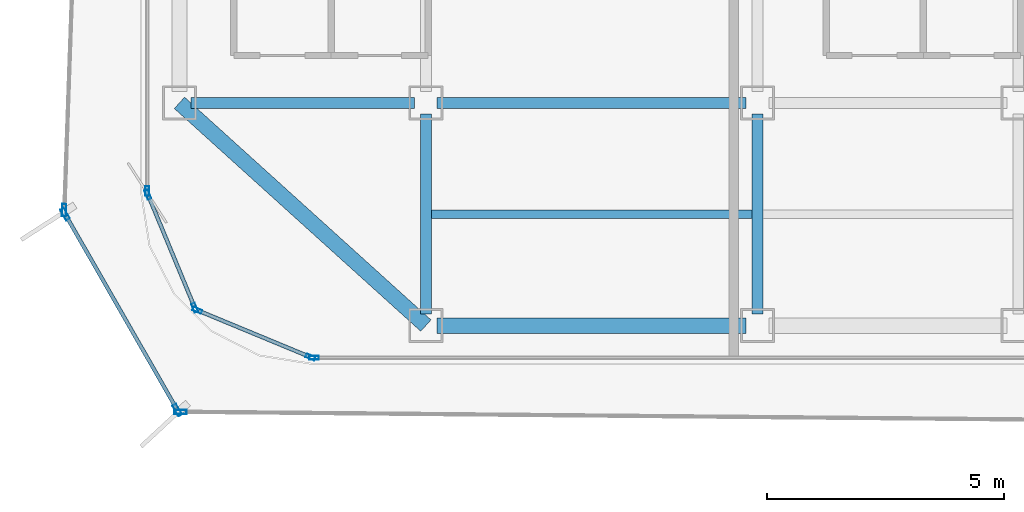
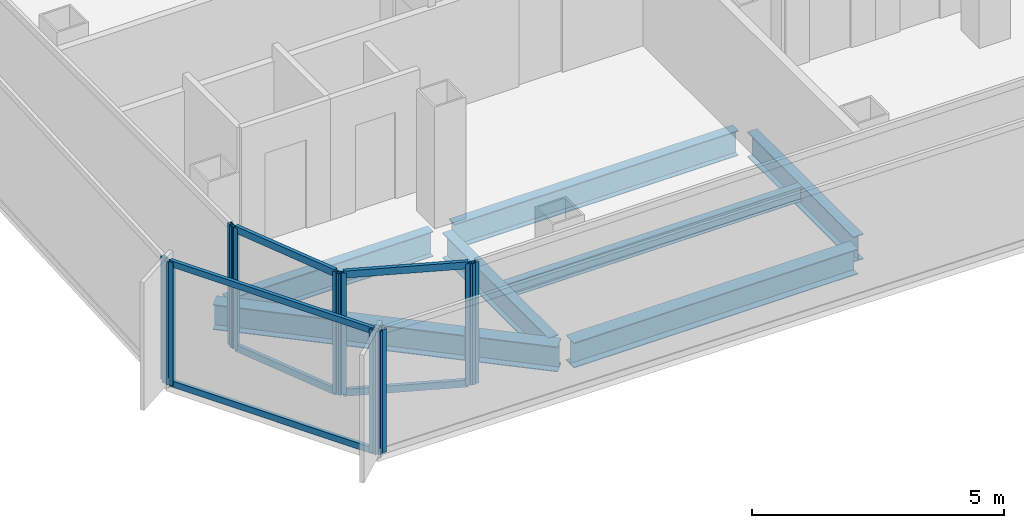
# One storey, part 2 of 16: 16 members, 7 beams, 7 elements without a shape of their own.
"""IFC4 building model written with IfcOpenShell, lengths in metres."""

from ifc_helpers import new_model, si_unit, direction, frame, origin, origin_2d, place, context, subcontext, project, spatial, hollow_rectangle, i_section, extrude, source, transform, mapped, material, layer, layer_set, material_profile, profile_set, type_object, element, aggregate, save


model = new_model("IFC4")

# Units and contexts
model_context = context("Model", 3, precision=1e-05, world=origin(), true_north=direction((0.0, 1.0)))
body_context = subcontext(model_context, "Body", "Model", "MODEL_VIEW")
ifc_project = project(units=[si_unit("LENGTHUNIT", "METRE"), si_unit("AREAUNIT", "SQUARE_METRE"), si_unit("VOLUMEUNIT", "CUBIC_METRE"), si_unit("PLANEANGLEUNIT", "RADIAN"), si_unit("MASSUNIT", "GRAM", prefix="KILO")], contexts=[model_context])

# Site, building, storey
site_placement = place(None, origin())
site = spatial("IfcSite", under=ifc_project, at=site_placement, CompositionType="ELEMENT")
building_placement = place(site_placement, origin())
building = spatial("IfcBuilding", under=site, at=building_placement, Name="Kolveth Station Tower", CompositionType="ELEMENT")
storey_placement = place(building_placement, frame((0.0, 0.0, 162.5)))
storey = spatial("IfcBuildingStorey", under=building, at=storey_placement, Name="L45", CompositionType="ELEMENT", Elevation=162.5)

# Beams
ifc_material_1 = material(Name="Steel S355", Category="steel")
ifc_material_profile_1 = material_profile(ifc_material_1, i_section(OverallWidth=0.323974609375, OverallDepth=0.611083984375, WebThickness=0.0126953125, FlangeThickness=0.01904296875, at=origin_2d()), Name="W610x155")
ifc_profile_set_1 = profile_set([ifc_material_profile_1], Name="Steel S355")
beam_type_1 = type_object("IfcBeamType", Name="Beam_SP2", PredefinedType="SPANDREL", material=ifc_profile_set_1)
shared_shape_1 = source(origin(), body_context, "Body", "SweptSolid", [
    extrude(i_section(OverallWidth=0.323974609375, OverallDepth=0.611083984375, WebThickness=0.0126953125, FlangeThickness=0.01904296875, at=origin_2d()), origin(), (0.0, 0.0, 1.0), 7.00927734375),
])
beam_1_placement = place(storey_placement, frame((0.800048828125, 5.5, -0.555419921875), z_axis=(0.741874009795, -0.670539300557, 0.0), x_axis=(0.670539300557, 0.741874009795, 0.0)))
element("IfcBeam", 1, at=beam_1_placement, inside=storey, type_object=beam_type_1, Name="L45 Corner Edge Girder BM-L45-CNR-SW", PredefinedType="SPANDREL", context=body_context, shape_type="MappedRepresentation", body=[
    mapped(shared_shape_1, transform((0.0, 0.0, 0.0), x_axis=(1.0, 0.0, 0.0), y_axis=(0.0, 1.0, 0.0), z_axis=(0.0, 0.0, 1.0), scale=1.0)),
])
shared_shape_2 = source(origin(), body_context, "Body", "SweptSolid", [
    extrude(i_section(OverallWidth=0.323974609375, OverallDepth=0.611083984375, WebThickness=0.0126953125, FlangeThickness=0.01904296875, at=origin_2d()), origin(), (0.0, 0.0, 1.0), 6.52001953125),
])
beam_2_placement = place(storey_placement, frame((6.239990234375, 0.800048828125, -0.555419921875), z_axis=(1.0, 0.0, 0.0), x_axis=(0.0, 1.0, 0.0)))
element("IfcBeam", 2, at=beam_2_placement, inside=storey, type_object=beam_type_1, Name="L45 Perimeter Spandrel BM-L45-PS-1", PredefinedType="SPANDREL", context=body_context, shape_type="MappedRepresentation", body=[
    mapped(shared_shape_2, transform((0.0, 0.0, 0.0), x_axis=(1.0, 0.0, 0.0), y_axis=(0.0, 1.0, 0.0), z_axis=(0.0, 0.0, 1.0), scale=1.0)),
])
ifc_material_profile_2 = material_profile(ifc_material_1, i_section(OverallWidth=0.22900390625, OverallDepth=0.612060546875, WebThickness=0.011962890625, FlangeThickness=0.01953125, at=origin_2d()), Name="W610x125")
ifc_profile_set_2 = profile_set([ifc_material_profile_2], Name="Steel S355")
beam_type_2 = type_object("IfcBeamType", Name="Beam_B5", PredefinedType="BEAM", material=ifc_profile_set_2)
shared_shape_3 = source(origin(), body_context, "Body", "SweptSolid", [
    extrude(i_section(OverallWidth=0.22900390625, OverallDepth=0.612060546875, WebThickness=0.011962890625, FlangeThickness=0.01953125, at=origin_2d()), origin(), (0.0, 0.0, 1.0), 4.719970703125),
])
beam_3_placement = place(storey_placement, frame((1.0400390625, 5.5, -0.555908203125), z_axis=(1.0, 0.0, 0.0), x_axis=(0.0, 1.0, 0.0)))
element("IfcBeam", 3, at=beam_3_placement, inside=storey, type_object=beam_type_2, Name="L45 Primary Girder BM-L45-GY55-1", PredefinedType="BEAM", context=body_context, shape_type="MappedRepresentation", body=[
    mapped(shared_shape_3, transform((0.0, 0.0, 0.0), x_axis=(1.0, 0.0, 0.0), y_axis=(0.0, 1.0, 0.0), z_axis=(0.0, 0.0, 1.0), scale=1.0)),
])
shared_shape_4 = source(origin(), body_context, "Body", "SweptSolid", [
    extrude(i_section(OverallWidth=0.22900390625, OverallDepth=0.612060546875, WebThickness=0.011962890625, FlangeThickness=0.01953125, at=origin_2d()), origin(), (0.0, 0.0, 1.0), 6.52001953125),
])
beam_4_placement = place(storey_placement, frame((6.239990234375, 5.5, -0.555908203125), z_axis=(1.0, 0.0, 0.0), x_axis=(0.0, 1.0, 0.0)))
element("IfcBeam", 4, at=beam_4_placement, inside=storey, type_object=beam_type_2, Name="L45 Primary Girder BM-L45-GY55-2", PredefinedType="BEAM", context=body_context, shape_type="MappedRepresentation", body=[
    mapped(shared_shape_4, transform((0.0, 0.0, 0.0), x_axis=(1.0, 0.0, 0.0), y_axis=(0.0, 1.0, 0.0), z_axis=(0.0, 0.0, 1.0), scale=1.0)),
])
shared_shape_5 = source(origin(), body_context, "Body", "SweptSolid", [
    extrude(i_section(OverallWidth=0.22900390625, OverallDepth=0.612060546875, WebThickness=0.011962890625, FlangeThickness=0.01953125, at=origin_2d()), origin(), (0.0, 0.0, 1.0), 4.219970703125),
])
for number, where, z_axis, x_axis, name in (
    (5, (6.0, 1.0400390625, -0.555908203125), (0.0, 1.0, 0.0), (-1.0, 0.0, 0.0), "L45 Primary Girder BM-L45-GX60-1"),
    (6, (13.0, 1.0400390625, -0.555908203125), (0.0, 1.0, 0.0), (-1.0, 0.0, 0.0), "L45 Primary Girder BM-L45-GX130-1"),
):
    element("IfcBeam", number, at=place(storey_placement, frame(where, z_axis=z_axis, x_axis=x_axis)), inside=storey, type_object=beam_type_2, Name=name, PredefinedType="BEAM", context=body_context, shape_type="MappedRepresentation", body=[
        mapped(shared_shape_5, transform((0.0, 0.0, 0.0), x_axis=(1.0, 0.0, 0.0), y_axis=(0.0, 1.0, 0.0), z_axis=(0.0, 0.0, 1.0), scale=1.0)),
    ])
ifc_material_profile_3 = material_profile(ifc_material_1, i_section(OverallWidth=0.1708984375, OverallDepth=0.35205078125, WebThickness=0.0068359375, FlangeThickness=0.009765625, at=origin_2d()), Name="W360x44")
ifc_profile_set_3 = profile_set([ifc_material_profile_3], Name="Steel S355")
beam_type_3 = type_object("IfcBeamType", Name="Beam_J2", PredefinedType="JOIST", material=ifc_profile_set_3)
shared_shape_6 = source(origin(), body_context, "Body", "SweptSolid", [
    extrude(i_section(OverallWidth=0.1708984375, OverallDepth=0.35205078125, WebThickness=0.0068359375, FlangeThickness=0.009765625, at=origin_2d()), origin(), (0.0, 0.0, 1.0), 6.77490234375),
])
beam_5_placement = place(storey_placement, frame((6.112548828125, 3.14990234375, -0.426025390625), z_axis=(1.0, 0.0, 0.0), x_axis=(0.0, 1.0, 0.0)))
element("IfcBeam", 7, at=beam_5_placement, inside=storey, type_object=beam_type_3, Name="L45 Secondary Joist JST-L45-2-1", PredefinedType="JOIST", context=body_context, shape_type="MappedRepresentation", body=[
    mapped(shared_shape_6, transform((0.0, 0.0, 0.0), x_axis=(1.0, 0.0, 0.0), y_axis=(0.0, 1.0, 0.0), z_axis=(0.0, 0.0, 1.0), scale=1.0)),
])

# Curtain wall, member
ifc_material_2 = material(Name="Aluminium 6063-T6 and low-E dark glass", Category="aluminium")
ifc_layer_1 = layer(ifc_material_2, 0.18994140625)
ifc_layer_set_1 = layer_set([ifc_layer_1], Name="Aluminium 6063-T6 and low-E dark glass")
curtain_wall_type_1 = type_object("IfcCurtainWallType", Name="CurtainWall_CW-Z2", PredefinedType="NOTDEFINED", material=ifc_layer_set_1)
curtain_wall_1_placement = place(storey_placement, origin())
curtain_wall_1 = element("IfcCurtainWall", 8, at=curtain_wall_1_placement, inside=storey, type_object=curtain_wall_type_1, Name="L45 Inner Thermal Curtain Wall 9", PredefinedType="NOTDEFINED")
ifc_material_3 = material(Name="Black anodized aluminium 6063-T6", Category="aluminium")
ifc_material_profile_4 = material_profile(ifc_material_3, hollow_rectangle(XDim=0.080078125, YDim=0.199951171875, WallThickness=0.0048828125, at=origin_2d()), Name="ALU-80x200x5")
ifc_profile_set_4 = profile_set([ifc_material_profile_4], Name="Black anodized aluminium 6063-T6")
member_type_1 = type_object("IfcMemberType", Name="Mullion_ML2", PredefinedType="MULLION", material=ifc_profile_set_4)
shared_shape_7 = source(origin(), body_context, "Body", "SweptSolid", [
    extrude(hollow_rectangle(XDim=0.080078125, YDim=0.199951171875, WallThickness=0.0048828125, at=origin_2d()), origin(), (0.0, 0.0, 1.0), 2.949951171875),
])
member_1_placement = place(storey_placement, frame((0.1201171875, 3.639892578125, 0.0), z_axis=(0.0, 0.0, 1.0), x_axis=(1.0, 0.0, 0.0)))
member_1 = element("IfcMember", 9, at=member_1_placement, type_object=member_type_1, Name="CW-Z2 mullion 2", PredefinedType="MULLION", context=body_context, shape_type="MappedRepresentation", body=[
    mapped(shared_shape_7, transform((0.0, 0.0, 0.0), x_axis=(1.0, 0.0, 0.0), y_axis=(0.0, 1.0, 0.0), z_axis=(0.0, 0.0, 1.0), scale=1.0)),
])
aggregate(curtain_wall_1, [member_1])

# Curtain wall, members
curtain_wall_2_placement = place(storey_placement, origin())
curtain_wall_2 = element("IfcCurtainWall", 10, at=curtain_wall_2_placement, inside=storey, type_object=curtain_wall_type_1, Name="L45 Inner Thermal Curtain Wall 10", PredefinedType="NOTDEFINED")
member_2_placement = place(storey_placement, frame((0.13525390625, 3.56298828125, 0.0), z_axis=(0.0, 0.0, 1.0), x_axis=(0.923873600544, 0.382697753087, 0.0)))
member_2 = element("IfcMember", 11, at=member_2_placement, type_object=member_type_1, Name="CW-Z2 mullion 1", PredefinedType="MULLION", context=body_context, shape_type="MappedRepresentation", body=[
    mapped(shared_shape_7, transform((0.0, 0.0, 0.0), x_axis=(1.0, 0.0, 0.0), y_axis=(0.0, 1.0, 0.0), z_axis=(0.0, 0.0, 1.0), scale=1.0)),
])
member_3_placement = place(storey_placement, frame((1.1240234375, 1.17626953125, 0.0), z_axis=(0.0, 0.0, 1.0), x_axis=(0.923873600544, 0.382697753087, 0.0)))
member_3 = element("IfcMember", 12, at=member_3_placement, type_object=member_type_1, Name="CW-Z2 mullion 2", PredefinedType="MULLION", context=body_context, shape_type="MappedRepresentation", body=[
    mapped(shared_shape_7, transform((0.0, 0.0, 0.0), x_axis=(1.0, 0.0, 0.0), y_axis=(0.0, 1.0, 0.0), z_axis=(0.0, 0.0, 1.0), scale=1.0)),
])

curtain_wall_3_placement = place(storey_placement, origin())
curtain_wall_3 = element("IfcCurtainWall", 13, at=curtain_wall_3_placement, inside=storey, type_object=curtain_wall_type_1, Name="L45 Inner Thermal Curtain Wall 11", PredefinedType="NOTDEFINED")
member_4_placement = place(storey_placement, frame((1.17626953125, 1.1240234375, 0.0), z_axis=(0.0, 0.0, 1.0), x_axis=(0.382697753087, 0.923873600544, 0.0)))
member_4 = element("IfcMember", 14, at=member_4_placement, type_object=member_type_1, Name="CW-Z2 mullion 1", PredefinedType="MULLION", context=body_context, shape_type="MappedRepresentation", body=[
    mapped(shared_shape_7, transform((0.0, 0.0, 0.0), x_axis=(1.0, 0.0, 0.0), y_axis=(0.0, 1.0, 0.0), z_axis=(0.0, 0.0, 1.0), scale=1.0)),
])
member_5_placement = place(storey_placement, frame((3.56298828125, 0.13525390625, 0.0), z_axis=(0.0, 0.0, 1.0), x_axis=(0.382697753087, 0.923873600544, 0.0)))
member_5 = element("IfcMember", 15, at=member_5_placement, type_object=member_type_1, Name="CW-Z2 mullion 2", PredefinedType="MULLION", context=body_context, shape_type="MappedRepresentation", body=[
    mapped(shared_shape_7, transform((0.0, 0.0, 0.0), x_axis=(1.0, 0.0, 0.0), y_axis=(0.0, 1.0, 0.0), z_axis=(0.0, 0.0, 1.0), scale=1.0)),
])

# Curtain wall, member
curtain_wall_4_placement = place(storey_placement, origin())
curtain_wall_4 = element("IfcCurtainWall", 16, at=curtain_wall_4_placement, inside=storey, type_object=curtain_wall_type_1, Name="L45 Inner Thermal Curtain Wall 12", PredefinedType="NOTDEFINED")
member_6_placement = place(storey_placement, frame((3.639892578125, 0.1201171875, 0.0), z_axis=(0.0, 0.0, 1.0), x_axis=(0.0, 1.0, 0.0)))
member_6 = element("IfcMember", 17, at=member_6_placement, type_object=member_type_1, Name="CW-Z2 mullion 1", PredefinedType="MULLION", context=body_context, shape_type="MappedRepresentation", body=[
    mapped(shared_shape_7, transform((0.0, 0.0, 0.0), x_axis=(1.0, 0.0, 0.0), y_axis=(0.0, 1.0, 0.0), z_axis=(0.0, 0.0, 1.0), scale=1.0)),
])
aggregate(curtain_wall_4, [member_6])

ifc_material_4 = material(Name="Black anodized aluminium 6063-T6 and dark solar glass", Category="aluminium")
ifc_layer_2 = layer(ifc_material_4, 0.159912109375)
ifc_layer_set_2 = layer_set([ifc_layer_2], Name="Black anodized aluminium 6063-T6 and dark solar glass")
curtain_wall_type_2 = type_object("IfcCurtainWallType", Name="OUTER SKIN CW-OS", PredefinedType="NOTDEFINED", material=ifc_layer_set_2)
curtain_wall_5_placement = place(storey_placement, origin())
curtain_wall_5 = element("IfcCurtainWall", 18, at=curtain_wall_5_placement, inside=storey, type_object=curtain_wall_type_2, Name="L45 Outer Ventilated Skin Curtain Wall 6", PredefinedType="NOTDEFINED")
ifc_material_profile_5 = material_profile(ifc_material_3, hollow_rectangle(XDim=0.090087890625, YDim=0.260009765625, WallThickness=0.0048828125, at=origin_2d()), Name="ALU-90x260x5")
ifc_profile_set_5 = profile_set([ifc_material_profile_5], Name="Black anodized aluminium 6063-T6")
member_type_2 = type_object("IfcMemberType", Name="FIN MULLION ML-OS", PredefinedType="MULLION", material=ifc_profile_set_5)
shared_shape_8 = source(origin(), body_context, "Body", "SweptSolid", [
    extrude(hollow_rectangle(XDim=0.090087890625, YDim=0.260009765625, WallThickness=0.0048828125, at=origin_2d()), origin(), (0.0, 0.0, 1.0), 2.989990234375),
])
member_7_placement = place(storey_placement, frame((-1.634033203125, 3.236572265625, 0.0), z_axis=(0.0, 0.0, 1.0), x_axis=(0.999378229613, -0.035258391556, 0.0)))
member_7 = element("IfcMember", 19, at=member_7_placement, type_object=member_type_2, Name="CW-OS mullion 2", PredefinedType="MULLION", context=body_context, shape_type="MappedRepresentation", body=[
    mapped(shared_shape_8, transform((0.0, 0.0, 0.0), x_axis=(1.0, 0.0, 0.0), y_axis=(0.0, 1.0, 0.0), z_axis=(0.0, 0.0, 1.0), scale=1.0)),
])
aggregate(curtain_wall_5, [member_7])

# Curtain wall, members
curtain_wall_6_placement = place(storey_placement, origin())
curtain_wall_6 = element("IfcCurtainWall", 20, at=curtain_wall_6_placement, inside=storey, type_object=curtain_wall_type_2, Name="L45 Outer Ventilated Skin Curtain Wall 7", PredefinedType="NOTDEFINED")
member_8_placement = place(storey_placement, frame((-1.61328125, 3.15234375, 0.0), z_axis=(0.0, 0.0, 1.0), x_axis=(0.867712940677, 0.497065642125, 0.0)))
member_8 = element("IfcMember", 21, at=member_8_placement, type_object=member_type_2, Name="CW-OS mullion 1", PredefinedType="MULLION", context=body_context, shape_type="MappedRepresentation", body=[
    mapped(shared_shape_8, transform((0.0, 0.0, 0.0), x_axis=(1.0, 0.0, 0.0), y_axis=(0.0, 1.0, 0.0), z_axis=(0.0, 0.0, 1.0), scale=1.0)),
])
member_9_placement = place(storey_placement, frame((0.755859375, -0.983154296875, 0.0), z_axis=(0.0, 0.0, 1.0), x_axis=(0.867712940677, 0.497065642125, 0.0)))
member_9 = element("IfcMember", 22, at=member_9_placement, type_object=member_type_2, Name="CW-OS mullion 2", PredefinedType="MULLION", context=body_context, shape_type="MappedRepresentation", body=[
    mapped(shared_shape_8, transform((0.0, 0.0, 0.0), x_axis=(1.0, 0.0, 0.0), y_axis=(0.0, 1.0, 0.0), z_axis=(0.0, 0.0, 1.0), scale=1.0)),
])

# Curtain wall, member
curtain_wall_7_placement = place(storey_placement, origin())
curtain_wall_7 = element("IfcCurtainWall", 23, at=curtain_wall_7_placement, inside=storey, type_object=curtain_wall_type_2, Name="L45 Outer Ventilated Skin Curtain Wall 8", PredefinedType="NOTDEFINED")
member_10_placement = place(storey_placement, frame((0.8232421875, -1.022705078125, 0.0), z_axis=(0.0, 0.0, 1.0), x_axis=(0.009153019255, 0.999958110242, 0.0)))
member_10 = element("IfcMember", 24, at=member_10_placement, type_object=member_type_2, Name="CW-OS mullion 1", PredefinedType="MULLION", context=body_context, shape_type="MappedRepresentation", body=[
    mapped(shared_shape_8, transform((0.0, 0.0, 0.0), x_axis=(1.0, 0.0, 0.0), y_axis=(0.0, 1.0, 0.0), z_axis=(0.0, 0.0, 1.0), scale=1.0)),
])
aggregate(curtain_wall_7, [member_10])

# Member
ifc_material_profile_6 = material_profile(ifc_material_3, hollow_rectangle(XDim=0.080078125, YDim=0.169921875, WallThickness=0.0048828125, at=origin_2d()), Name="ALU-80x170x5")
ifc_profile_set_6 = profile_set([ifc_material_profile_6], Name="Black anodized aluminium 6063-T6")
member_type_3 = type_object("IfcMemberType", Name="Transom_TR2", PredefinedType="USERDEFINED", material=ifc_profile_set_6)
shared_shape_9 = source(origin(), body_context, "Body", "SweptSolid", [
    extrude(hollow_rectangle(XDim=0.080078125, YDim=0.169921875, WallThickness=0.0048828125, at=origin_2d()), origin(), (0.0, 0.0, 1.0), 2.50341796875),
])
member_11_placement = place(storey_placement, frame((0.150634765625, 3.526123046875, 0.0400390625), z_axis=(0.382661849723, -0.923888472039, 0.0), x_axis=(0.923888472039, 0.382661849723, 0.0)))
member_11 = element("IfcMember", 25, at=member_11_placement, type_object=member_type_3, Name="CW-Z2 transom 1.1", ObjectType="TRANSOM", PredefinedType="USERDEFINED", context=body_context, shape_type="MappedRepresentation", body=[
    mapped(shared_shape_9, transform((0.0, 0.0, 0.0), x_axis=(1.0, 0.0, 0.0), y_axis=(0.0, 1.0, 0.0), z_axis=(0.0, 0.0, 1.0), scale=1.0)),
])

member_12_placement = place(storey_placement, frame((0.150634765625, 3.526123046875, 2.909912109375), z_axis=(0.382661849723, -0.923888472039, 0.0), x_axis=(0.923888472039, 0.382661849723, 0.0)))
member_12 = element("IfcMember", 26, at=member_12_placement, type_object=member_type_3, Name="CW-Z2 transom 1.2", ObjectType="TRANSOM", PredefinedType="USERDEFINED", context=body_context, shape_type="MappedRepresentation", body=[
    mapped(shared_shape_9, transform((0.0, 0.0, 0.0), x_axis=(1.0, 0.0, 0.0), y_axis=(0.0, 1.0, 0.0), z_axis=(0.0, 0.0, 1.0), scale=1.0)),
])

aggregate(curtain_wall_2, [member_2, member_3, member_11, member_12])

member_13_placement = place(storey_placement, frame((1.213134765625, 1.108642578125, 0.0400390625), z_axis=(0.923888472039, -0.382661849723, 0.0), x_axis=(0.382661849723, 0.923888472039, 0.0)))
member_13 = element("IfcMember", 27, at=member_13_placement, type_object=member_type_3, Name="CW-Z2 transom 1.1", ObjectType="TRANSOM", PredefinedType="USERDEFINED", context=body_context, shape_type="MappedRepresentation", body=[
    mapped(shared_shape_9, transform((0.0, 0.0, 0.0), x_axis=(1.0, 0.0, 0.0), y_axis=(0.0, 1.0, 0.0), z_axis=(0.0, 0.0, 1.0), scale=1.0)),
])

member_14_placement = place(storey_placement, frame((1.213134765625, 1.108642578125, 2.909912109375), z_axis=(0.923888472039, -0.382661849723, 0.0), x_axis=(0.382661849723, 0.923888472039, 0.0)))
member_14 = element("IfcMember", 28, at=member_14_placement, type_object=member_type_3, Name="CW-Z2 transom 1.2", ObjectType="TRANSOM", PredefinedType="USERDEFINED", context=body_context, shape_type="MappedRepresentation", body=[
    mapped(shared_shape_9, transform((0.0, 0.0, 0.0), x_axis=(1.0, 0.0, 0.0), y_axis=(0.0, 1.0, 0.0), z_axis=(0.0, 0.0, 1.0), scale=1.0)),
])

aggregate(curtain_wall_3, [member_4, member_5, member_13, member_14])

ifc_material_profile_7 = material_profile(ifc_material_3, hollow_rectangle(XDim=0.080078125, YDim=0.14990234375, WallThickness=0.0048828125, at=origin_2d()), Name="ALU-80x150x5")
ifc_profile_set_7 = profile_set([ifc_material_profile_7], Name="Black anodized aluminium 6063-T6")
member_type_4 = type_object("IfcMemberType", Name="Transom_TR-OS", PredefinedType="USERDEFINED", material=ifc_profile_set_7)
shared_shape_10 = source(origin(), body_context, "Body", "SweptSolid", [
    extrude(hollow_rectangle(XDim=0.080078125, YDim=0.14990234375, WallThickness=0.0048828125, at=origin_2d()), origin(), (0.0, 0.0, 1.0), 4.676025390625),
])
member_15_placement = place(storey_placement, frame((-1.5908203125, 3.113525390625, 0.0400390625), z_axis=(0.497038288848, -0.867728609312, 0.0), x_axis=(0.867728609312, 0.497038288848, 0.0)))
member_15 = element("IfcMember", 29, at=member_15_placement, type_object=member_type_4, Name="CW-OS transom 1.1", ObjectType="TRANSOM", PredefinedType="USERDEFINED", context=body_context, shape_type="MappedRepresentation", body=[
    mapped(shared_shape_10, transform((0.0, 0.0, 0.0), x_axis=(1.0, 0.0, 0.0), y_axis=(0.0, 1.0, 0.0), z_axis=(0.0, 0.0, 1.0), scale=1.0)),
])

member_16_placement = place(storey_placement, frame((-1.5908203125, 3.113525390625, 2.949951171875), z_axis=(0.497038288848, -0.867728609312, 0.0), x_axis=(0.867728609312, 0.497038288848, 0.0)))
member_16 = element("IfcMember", 30, at=member_16_placement, type_object=member_type_4, Name="CW-OS transom 1.2", ObjectType="TRANSOM", PredefinedType="USERDEFINED", context=body_context, shape_type="MappedRepresentation", body=[
    mapped(shared_shape_10, transform((0.0, 0.0, 0.0), x_axis=(1.0, 0.0, 0.0), y_axis=(0.0, 1.0, 0.0), z_axis=(0.0, 0.0, 1.0), scale=1.0)),
])

aggregate(curtain_wall_6, [member_8, member_9, member_15, member_16])

save(model, "model.ifc")
